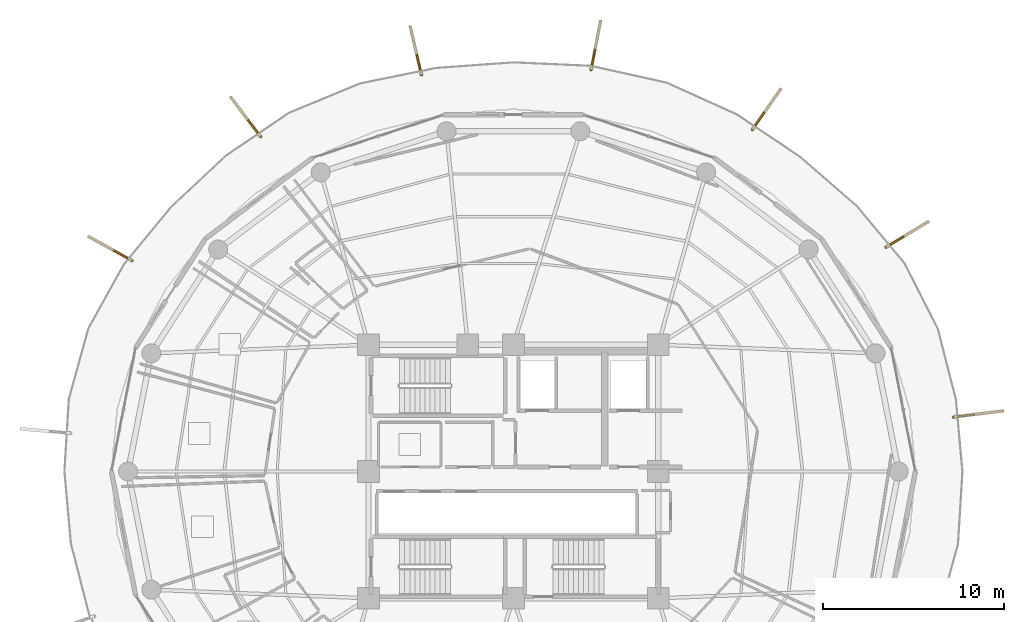
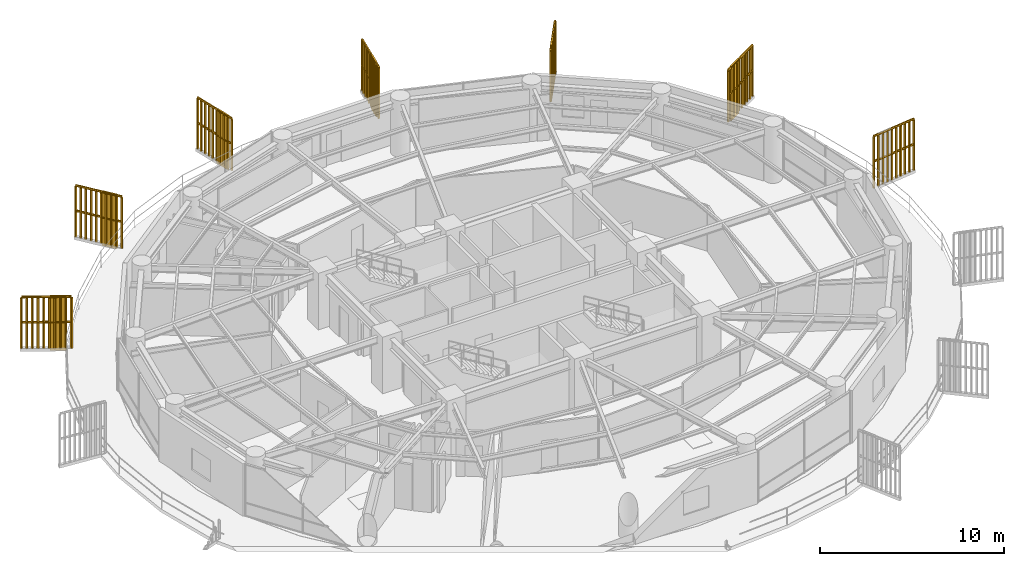
# One storey, part 30 of 30: 7 railings, 6 shading devices.
"""IFC4 building model written with IfcOpenShell, lengths in metres."""

from ifc_helpers import new_model, si_unit, direction, frame, origin, origin_2d, place, context, subcontext, project, spatial, polyline, rectangle, outline, extrude, source, transform, mapped, material, type_object, element, save


model = new_model("IFC4")

# Units and contexts
model_context = context("Model", 3, precision=1e-05, world=origin(), true_north=direction((0.0, 1.0)))
body_context = subcontext(model_context, "Body", "Model", "MODEL_VIEW")
ifc_project = project(units=[si_unit("LENGTHUNIT", "METRE"), si_unit("AREAUNIT", "SQUARE_METRE"), si_unit("VOLUMEUNIT", "CUBIC_METRE"), si_unit("PLANEANGLEUNIT", "RADIAN"), si_unit("MASSUNIT", "GRAM", prefix="KILO")], contexts=[model_context])

# Site, building, storey
site_placement = place(None, origin())
site = spatial("IfcSite", under=ifc_project, at=site_placement, CompositionType="ELEMENT")
building_placement = place(site_placement, origin())
building = spatial("IfcBuilding", under=site, at=building_placement, Name="Kelanora Arch Commons", CompositionType="ELEMENT")
storey_placement = place(building_placement, frame((0.0, 0.0, 215.699951171875)))
storey = spatial("IfcBuildingStorey", under=building, at=storey_placement, Name="L55", CompositionType="ELEMENT", Elevation=215.699951171875)

# Railings
ifc_material_1 = material(Name="Anodised bronze vertical shading fin rib assembly")
railing_type = type_object("IfcRailingType", Name="RAIL-FIN-BRZ", PredefinedType="BALUSTRADE", material=ifc_material_1)
railing_1_placement = place(storey_placement, frame((98.30322265625, 61.0068359375, -0.02001953125)))
element("IfcRailing", 1, at=railing_1_placement, inside=storey, type_object=railing_type, Name="Sweeping Bronze Vertical Fin Blade L55-02", PredefinedType="BALUSTRADE", context=body_context, shape_type="SweptSolid", body=[
    extrude(outline(polyline([(0.06982421875, 0.0), (0.034912109375, 0.060546875), (-0.034912109375, 0.060546875), (-0.06982421875, 0.0), (-0.034912109375, -0.060546875), (0.034912109375, -0.060546875), (0.06982421875, 0.0)])), frame((0.0, 0.0, 3.419921875), z_axis=(0.992433920402, 0.122779939873, 0.0), x_axis=(-0.122779939873, 0.992433920402, 0.0)), (0.0, 0.0, 1.0), 2.730224609375),
    extrude(outline(polyline([(0.06982421875, 0.0), (0.034912109375, 0.060546875), (-0.034912109375, 0.060546875), (-0.06982421875, 0.0), (-0.034912109375, -0.060546875), (0.034912109375, -0.060546875), (0.06982421875, 0.0)])), frame((0.0, 0.0, 1.7451171875), z_axis=(0.992433920402, 0.122779939873, 0.0), x_axis=(-0.122779939873, 0.992433920402, 0.0)), (0.0, 0.0, 1.0), 2.730224609375),
    extrude(outline(polyline([(0.080078125, 0.0), (0.0400390625, 0.0693359375), (-0.0400390625, 0.0693359375), (-0.080078125, 0.0), (-0.0400390625, -0.0693359375), (0.0400390625, -0.0693359375), (0.080078125, 0.0)])), origin(), (0.0, 0.0, 1.0), 3.35009765625),
    extrude(outline(polyline([(0.080078125, 0.0), (0.0400390625, 0.0693359375), (-0.0400390625, 0.0693359375), (-0.080078125, 0.0), (-0.0400390625, -0.0693359375), (0.0400390625, -0.0693359375), (0.080078125, 0.0)])), frame((0.301025390625, 0.037353515625, 0.0)), (0.0, 0.0, 1.0), 3.35009765625),
    extrude(outline(polyline([(0.080078125, 0.0), (0.0400390625, 0.0693359375), (-0.0400390625, 0.0693359375), (-0.080078125, 0.0), (-0.0400390625, -0.0693359375), (0.0400390625, -0.0693359375), (0.080078125, 0.0)])), frame((0.60205078125, 0.074462890625, 0.0)), (0.0, 0.0, 1.0), 3.35009765625),
    extrude(outline(polyline([(0.080078125, 0.0), (0.0400390625, 0.0693359375), (-0.0400390625, 0.0693359375), (-0.080078125, 0.0), (-0.0400390625, -0.0693359375), (0.0400390625, -0.0693359375), (0.080078125, 0.0)])), frame((0.903076171875, 0.11181640625, 0.0)), (0.0, 0.0, 1.0), 3.35009765625),
    extrude(outline(polyline([(0.080078125, 0.0), (0.0400390625, 0.0693359375), (-0.0400390625, 0.0693359375), (-0.080078125, 0.0), (-0.0400390625, -0.0693359375), (0.0400390625, -0.0693359375), (0.080078125, 0.0)])), frame((1.2041015625, 0.14892578125, 0.0)), (0.0, 0.0, 1.0), 3.35009765625),
    extrude(outline(polyline([(0.080078125, 0.0), (0.0400390625, 0.0693359375), (-0.0400390625, 0.0693359375), (-0.080078125, 0.0), (-0.0400390625, -0.0693359375), (0.0400390625, -0.0693359375), (0.080078125, 0.0)])), frame((1.50537109375, 0.186279296875, 0.0)), (0.0, 0.0, 1.0), 3.35009765625),
    extrude(outline(polyline([(0.080078125, 0.0), (0.0400390625, 0.0693359375), (-0.0400390625, 0.0693359375), (-0.080078125, 0.0), (-0.0400390625, -0.0693359375), (0.0400390625, -0.0693359375), (0.080078125, 0.0)])), frame((1.806396484375, 0.223388671875, 0.0)), (0.0, 0.0, 1.0), 3.35009765625),
    extrude(outline(polyline([(0.080078125, 0.0), (0.0400390625, 0.0693359375), (-0.0400390625, 0.0693359375), (-0.080078125, 0.0), (-0.0400390625, -0.0693359375), (0.0400390625, -0.0693359375), (0.080078125, 0.0)])), frame((2.107421875, 0.2607421875, 0.0)), (0.0, 0.0, 1.0), 3.35009765625),
    extrude(outline(polyline([(0.080078125, 0.0), (0.0400390625, 0.0693359375), (-0.0400390625, 0.0693359375), (-0.080078125, 0.0), (-0.0400390625, -0.0693359375), (0.0400390625, -0.0693359375), (0.080078125, 0.0)])), frame((2.408447265625, 0.2978515625, 0.0)), (0.0, 0.0, 1.0), 3.35009765625),
    extrude(outline(polyline([(0.080078125, 0.0), (0.0400390625, 0.0693359375), (-0.0400390625, 0.0693359375), (-0.080078125, 0.0), (-0.0400390625, -0.0693359375), (0.0400390625, -0.0693359375), (0.080078125, 0.0)])), frame((2.70947265625, 0.335205078125, 0.0)), (0.0, 0.0, 1.0), 3.35009765625),
])
railing_2_placement = place(storey_placement, frame((94.5732421875, 70.3876953125, -0.02001953125)))
element("IfcRailing", 2, at=railing_2_placement, inside=storey, type_object=railing_type, Name="Sweeping Bronze Vertical Fin Blade L55-03", PredefinedType="BALUSTRADE", context=body_context, shape_type="SweptSolid", body=[
    extrude(outline(polyline([(0.06982421875, 0.0), (0.034912109375, 0.060546875), (-0.034912109375, 0.060546875), (-0.06982421875, 0.0), (-0.034912109375, -0.060546875), (0.034912109375, -0.060546875), (0.06982421875, 0.0)])), frame((0.0, 0.0, 3.419921875), z_axis=(0.856702862687, 0.515810241334, 0.0), x_axis=(-0.515810241334, 0.856702862687, 0.0)), (0.0, 0.0, 1.0), 2.72998046875),
    extrude(outline(polyline([(0.06982421875, 0.0), (0.034912109375, 0.060546875), (-0.034912109375, 0.060546875), (-0.06982421875, 0.0), (-0.034912109375, -0.060546875), (0.034912109375, -0.060546875), (0.06982421875, 0.0)])), frame((0.0, 0.0, 1.7451171875), z_axis=(0.856702862687, 0.515810241334, 0.0), x_axis=(-0.515810241334, 0.856702862687, 0.0)), (0.0, 0.0, 1.0), 2.72998046875),
    extrude(outline(polyline([(0.080078125, 0.0), (0.0400390625, 0.0693359375), (-0.0400390625, 0.0693359375), (-0.080078125, 0.0), (-0.0400390625, -0.0693359375), (0.0400390625, -0.0693359375), (0.080078125, 0.0)])), origin(), (0.0, 0.0, 1.0), 3.35009765625),
    extrude(outline(polyline([(0.080078125, 0.0), (0.0400390625, 0.0693359375), (-0.0400390625, 0.0693359375), (-0.080078125, 0.0), (-0.0400390625, -0.0693359375), (0.0400390625, -0.0693359375), (0.080078125, 0.0)])), frame((0.259765625, 0.156494140625, 0.0)), (0.0, 0.0, 1.0), 3.35009765625),
    extrude(outline(polyline([(0.080078125, 0.0), (0.0400390625, 0.0693359375), (-0.0400390625, 0.0693359375), (-0.080078125, 0.0), (-0.0400390625, -0.0693359375), (0.0400390625, -0.0693359375), (0.080078125, 0.0)])), frame((0.519775390625, 0.31298828125, 0.0)), (0.0, 0.0, 1.0), 3.35009765625),
    extrude(outline(polyline([(0.080078125, 0.0), (0.0400390625, 0.0693359375), (-0.0400390625, 0.0693359375), (-0.080078125, 0.0), (-0.0400390625, -0.0693359375), (0.0400390625, -0.0693359375), (0.080078125, 0.0)])), frame((0.779541015625, 0.469482421875, 0.0)), (0.0, 0.0, 1.0), 3.35009765625),
    extrude(outline(polyline([(0.080078125, 0.0), (0.0400390625, 0.0693359375), (-0.0400390625, 0.0693359375), (-0.080078125, 0.0), (-0.0400390625, -0.0693359375), (0.0400390625, -0.0693359375), (0.080078125, 0.0)])), frame((1.03955078125, 0.6259765625, 0.0)), (0.0, 0.0, 1.0), 3.35009765625),
    extrude(outline(polyline([(0.080078125, 0.0), (0.0400390625, 0.0693359375), (-0.0400390625, 0.0693359375), (-0.080078125, 0.0), (-0.0400390625, -0.0693359375), (0.0400390625, -0.0693359375), (0.080078125, 0.0)])), frame((1.29931640625, 0.7822265625, 0.0)), (0.0, 0.0, 1.0), 3.35009765625),
    extrude(outline(polyline([(0.080078125, 0.0), (0.0400390625, 0.0693359375), (-0.0400390625, 0.0693359375), (-0.080078125, 0.0), (-0.0400390625, -0.0693359375), (0.0400390625, -0.0693359375), (0.080078125, 0.0)])), frame((1.559326171875, 0.938720703125, 0.0)), (0.0, 0.0, 1.0), 3.35009765625),
    extrude(outline(polyline([(0.080078125, 0.0), (0.0400390625, 0.0693359375), (-0.0400390625, 0.0693359375), (-0.080078125, 0.0), (-0.0400390625, -0.0693359375), (0.0400390625, -0.0693359375), (0.080078125, 0.0)])), frame((1.819091796875, 1.09521484375, 0.0)), (0.0, 0.0, 1.0), 3.35009765625),
    extrude(outline(polyline([(0.080078125, 0.0), (0.0400390625, 0.0693359375), (-0.0400390625, 0.0693359375), (-0.080078125, 0.0), (-0.0400390625, -0.0693359375), (0.0400390625, -0.0693359375), (0.080078125, 0.0)])), frame((2.0791015625, 1.251708984375, 0.0)), (0.0, 0.0, 1.0), 3.35009765625),
    extrude(outline(polyline([(0.080078125, 0.0), (0.0400390625, 0.0693359375), (-0.0400390625, 0.0693359375), (-0.080078125, 0.0), (-0.0400390625, -0.0693359375), (0.0400390625, -0.0693359375), (0.080078125, 0.0)])), frame((2.3388671875, 1.408203125, 0.0)), (0.0, 0.0, 1.0), 3.35009765625),
])
railing_3_placement = place(storey_placement, frame((87.194580078125, 76.881103515625, -0.02001953125)))
element("IfcRailing", 3, at=railing_3_placement, inside=storey, type_object=railing_type, Name="Sweeping Bronze Vertical Fin Blade L55-04", PredefinedType="BALUSTRADE", context=body_context, shape_type="SweptSolid", body=[
    extrude(outline(polyline([(0.06982421875, 0.0), (0.034912109375, 0.060546875), (-0.034912109375, 0.060546875), (-0.06982421875, 0.0), (-0.034912109375, -0.060546875), (0.034912109375, -0.060546875), (0.06982421875, 0.0)])), frame((0.0, 0.0, 3.419921875), z_axis=(0.572850020098, 0.819660206716, 0.0), x_axis=(-0.819660206716, 0.572850020098, 0.0)), (0.0, 0.0, 1.0), 2.730224609375),
    extrude(outline(polyline([(0.06982421875, 0.0), (0.034912109375, 0.060546875), (-0.034912109375, 0.060546875), (-0.06982421875, 0.0), (-0.034912109375, -0.060546875), (0.034912109375, -0.060546875), (0.06982421875, 0.0)])), frame((0.0, 0.0, 1.7451171875), z_axis=(0.572850020098, 0.819660206716, 0.0), x_axis=(-0.819660206716, 0.572850020098, 0.0)), (0.0, 0.0, 1.0), 2.730224609375),
    extrude(outline(polyline([(0.080078125, 0.0), (0.0400390625, 0.0693359375), (-0.0400390625, 0.0693359375), (-0.080078125, 0.0), (-0.0400390625, -0.0693359375), (0.0400390625, -0.0693359375), (0.080078125, 0.0)])), origin(), (0.0, 0.0, 1.0), 3.35009765625),
    extrude(outline(polyline([(0.080078125, 0.0), (0.0400390625, 0.0693359375), (-0.0400390625, 0.0693359375), (-0.080078125, 0.0), (-0.0400390625, -0.0693359375), (0.0400390625, -0.0693359375), (0.080078125, 0.0)])), frame((0.173828125, 0.24853515625, 0.0)), (0.0, 0.0, 1.0), 3.35009765625),
    extrude(outline(polyline([(0.080078125, 0.0), (0.0400390625, 0.0693359375), (-0.0400390625, 0.0693359375), (-0.080078125, 0.0), (-0.0400390625, -0.0693359375), (0.0400390625, -0.0693359375), (0.080078125, 0.0)])), frame((0.34765625, 0.497314453125, 0.0)), (0.0, 0.0, 1.0), 3.35009765625),
    extrude(outline(polyline([(0.080078125, 0.0), (0.0400390625, 0.0693359375), (-0.0400390625, 0.0693359375), (-0.080078125, 0.0), (-0.0400390625, -0.0693359375), (0.0400390625, -0.0693359375), (0.080078125, 0.0)])), frame((0.521240234375, 0.745849609375, 0.0)), (0.0, 0.0, 1.0), 3.35009765625),
    extrude(outline(polyline([(0.080078125, 0.0), (0.0400390625, 0.0693359375), (-0.0400390625, 0.0693359375), (-0.080078125, 0.0), (-0.0400390625, -0.0693359375), (0.0400390625, -0.0693359375), (0.080078125, 0.0)])), frame((0.695068359375, 0.99462890625, 0.0)), (0.0, 0.0, 1.0), 3.35009765625),
    extrude(outline(polyline([(0.080078125, 0.0), (0.0400390625, 0.0693359375), (-0.0400390625, 0.0693359375), (-0.080078125, 0.0), (-0.0400390625, -0.0693359375), (0.0400390625, -0.0693359375), (0.080078125, 0.0)])), frame((0.868896484375, 1.2431640625, 0.0)), (0.0, 0.0, 1.0), 3.35009765625),
    extrude(outline(polyline([(0.080078125, 0.0), (0.0400390625, 0.0693359375), (-0.0400390625, 0.0693359375), (-0.080078125, 0.0), (-0.0400390625, -0.0693359375), (0.0400390625, -0.0693359375), (0.080078125, 0.0)])), frame((1.042724609375, 1.491943359375, 0.0)), (0.0, 0.0, 1.0), 3.35009765625),
    extrude(outline(polyline([(0.080078125, 0.0), (0.0400390625, 0.0693359375), (-0.0400390625, 0.0693359375), (-0.080078125, 0.0), (-0.0400390625, -0.0693359375), (0.0400390625, -0.0693359375), (0.080078125, 0.0)])), frame((1.21630859375, 1.740478515625, 0.0)), (0.0, 0.0, 1.0), 3.35009765625),
    extrude(outline(polyline([(0.080078125, 0.0), (0.0400390625, 0.0693359375), (-0.0400390625, 0.0693359375), (-0.080078125, 0.0), (-0.0400390625, -0.0693359375), (0.0400390625, -0.0693359375), (0.080078125, 0.0)])), frame((1.39013671875, 1.9892578125, 0.0)), (0.0, 0.0, 1.0), 3.35009765625),
    extrude(outline(polyline([(0.080078125, 0.0), (0.0400390625, 0.0693359375), (-0.0400390625, 0.0693359375), (-0.080078125, 0.0), (-0.0400390625, -0.0693359375), (0.0400390625, -0.0693359375), (0.080078125, 0.0)])), frame((1.56396484375, 2.23779296875, 0.0)), (0.0, 0.0, 1.0), 3.35009765625),
])
railing_4_placement = place(storey_placement, frame((78.28955078125, 80.177001953125, -0.02001953125)))
element("IfcRailing", 4, at=railing_4_placement, inside=storey, type_object=railing_type, Name="Sweeping Bronze Vertical Fin Blade L55-05", PredefinedType="BALUSTRADE", context=body_context, shape_type="SweptSolid", body=[
    extrude(outline(polyline([(0.06982421875, 0.0), (0.034912109375, 0.060546875), (-0.034912109375, 0.060546875), (-0.06982421875, 0.0), (-0.034912109375, -0.060546875), (0.034912109375, -0.060546875), (0.06982421875, 0.0)])), frame((0.0, 0.0, 3.419921875), z_axis=(0.189868959993, 0.981809440793, 0.0), x_axis=(-0.981809440793, 0.189868959993, 0.0)), (0.0, 0.0, 1.0), 2.729736328125),
    extrude(outline(polyline([(0.06982421875, 0.0), (0.034912109375, 0.060546875), (-0.034912109375, 0.060546875), (-0.06982421875, 0.0), (-0.034912109375, -0.060546875), (0.034912109375, -0.060546875), (0.06982421875, 0.0)])), frame((0.0, 0.0, 1.7451171875), z_axis=(0.189868959993, 0.981809440793, 0.0), x_axis=(-0.981809440793, 0.189868959993, 0.0)), (0.0, 0.0, 1.0), 2.729736328125),
    extrude(outline(polyline([(0.080078125, 0.0), (0.0400390625, 0.0693359375), (-0.0400390625, 0.0693359375), (-0.080078125, 0.0), (-0.0400390625, -0.0693359375), (0.0400390625, -0.0693359375), (0.080078125, 0.0)])), origin(), (0.0, 0.0, 1.0), 3.35009765625),
    extrude(outline(polyline([(0.080078125, 0.0), (0.0400390625, 0.0693359375), (-0.0400390625, 0.0693359375), (-0.080078125, 0.0), (-0.0400390625, -0.0693359375), (0.0400390625, -0.0693359375), (0.080078125, 0.0)])), frame((0.0576171875, 0.2978515625, 0.0)), (0.0, 0.0, 1.0), 3.35009765625),
    extrude(outline(polyline([(0.080078125, 0.0), (0.0400390625, 0.0693359375), (-0.0400390625, 0.0693359375), (-0.080078125, 0.0), (-0.0400390625, -0.0693359375), (0.0400390625, -0.0693359375), (0.080078125, 0.0)])), frame((0.115234375, 0.595703125, 0.0)), (0.0, 0.0, 1.0), 3.35009765625),
    extrude(outline(polyline([(0.080078125, 0.0), (0.0400390625, 0.0693359375), (-0.0400390625, 0.0693359375), (-0.080078125, 0.0), (-0.0400390625, -0.0693359375), (0.0400390625, -0.0693359375), (0.080078125, 0.0)])), frame((0.1728515625, 0.893310546875, 0.0)), (0.0, 0.0, 1.0), 3.35009765625),
    extrude(outline(polyline([(0.080078125, 0.0), (0.0400390625, 0.0693359375), (-0.0400390625, 0.0693359375), (-0.080078125, 0.0), (-0.0400390625, -0.0693359375), (0.0400390625, -0.0693359375), (0.080078125, 0.0)])), frame((0.23046875, 1.191162109375, 0.0)), (0.0, 0.0, 1.0), 3.35009765625),
    extrude(outline(polyline([(0.080078125, 0.0), (0.0400390625, 0.0693359375), (-0.0400390625, 0.0693359375), (-0.080078125, 0.0), (-0.0400390625, -0.0693359375), (0.0400390625, -0.0693359375), (0.080078125, 0.0)])), frame((0.287841796875, 1.489013671875, 0.0)), (0.0, 0.0, 1.0), 3.35009765625),
    extrude(outline(polyline([(0.080078125, 0.0), (0.0400390625, 0.0693359375), (-0.0400390625, 0.0693359375), (-0.080078125, 0.0), (-0.0400390625, -0.0693359375), (0.0400390625, -0.0693359375), (0.080078125, 0.0)])), frame((0.345458984375, 1.786865234375, 0.0)), (0.0, 0.0, 1.0), 3.35009765625),
    extrude(outline(polyline([(0.080078125, 0.0), (0.0400390625, 0.0693359375), (-0.0400390625, 0.0693359375), (-0.080078125, 0.0), (-0.0400390625, -0.0693359375), (0.0400390625, -0.0693359375), (0.080078125, 0.0)])), frame((0.403076171875, 2.08447265625, 0.0)), (0.0, 0.0, 1.0), 3.35009765625),
    extrude(outline(polyline([(0.080078125, 0.0), (0.0400390625, 0.0693359375), (-0.0400390625, 0.0693359375), (-0.080078125, 0.0), (-0.0400390625, -0.0693359375), (0.0400390625, -0.0693359375), (0.080078125, 0.0)])), frame((0.460693359375, 2.38232421875, 0.0)), (0.0, 0.0, 1.0), 3.35009765625),
    extrude(outline(polyline([(0.080078125, 0.0), (0.0400390625, 0.0693359375), (-0.0400390625, 0.0693359375), (-0.080078125, 0.0), (-0.0400390625, -0.0693359375), (0.0400390625, -0.0693359375), (0.080078125, 0.0)])), frame((0.518310546875, 2.68017578125, 0.0)), (0.0, 0.0, 1.0), 3.35009765625),
])
railing_5_placement = place(storey_placement, frame((68.92333984375, 79.89697265625, -0.02001953125)))
element("IfcRailing", 5, at=railing_5_placement, inside=storey, type_object=railing_type, Name="Sweeping Bronze Vertical Fin Blade L55-06", PredefinedType="BALUSTRADE", context=body_context, shape_type="SweptSolid", body=[
    extrude(outline(polyline([(0.06982421875, 0.0), (0.034912109375, 0.060546875), (-0.034912109375, 0.060546875), (-0.06982421875, 0.0), (-0.034912109375, -0.060546875), (0.034912109375, -0.060546875), (0.06982421875, 0.0)])), frame((0.0, 0.0, 3.419921875), z_axis=(-0.225812993548, 0.974170668797, 0.0), x_axis=(-0.974170668797, -0.225812993548, 0.0)), (0.0, 0.0, 1.0), 2.72998046875),
    extrude(outline(polyline([(0.06982421875, 0.0), (0.034912109375, 0.060546875), (-0.034912109375, 0.060546875), (-0.06982421875, 0.0), (-0.034912109375, -0.060546875), (0.034912109375, -0.060546875), (0.06982421875, 0.0)])), frame((0.0, 0.0, 1.7451171875), z_axis=(-0.225812993548, 0.974170668797, 0.0), x_axis=(-0.974170668797, -0.225812993548, 0.0)), (0.0, 0.0, 1.0), 2.72998046875),
    extrude(outline(polyline([(0.080078125, 0.0), (0.0400390625, 0.0693359375), (-0.0400390625, 0.0693359375), (-0.080078125, 0.0), (-0.0400390625, -0.0693359375), (0.0400390625, -0.0693359375), (0.080078125, 0.0)])), origin(), (0.0, 0.0, 1.0), 3.35009765625),
    extrude(outline(polyline([(0.080078125, 0.0), (0.0400390625, 0.0693359375), (-0.0400390625, 0.0693359375), (-0.080078125, 0.0), (-0.0400390625, -0.0693359375), (0.0400390625, -0.0693359375), (0.080078125, 0.0)])), frame((-0.068603515625, 0.29541015625, 0.0)), (0.0, 0.0, 1.0), 3.35009765625),
    extrude(outline(polyline([(0.080078125, 0.0), (0.0400390625, 0.0693359375), (-0.0400390625, 0.0693359375), (-0.080078125, 0.0), (-0.0400390625, -0.0693359375), (0.0400390625, -0.0693359375), (0.080078125, 0.0)])), frame((-0.136962890625, 0.591064453125, 0.0)), (0.0, 0.0, 1.0), 3.35009765625),
    extrude(outline(polyline([(0.080078125, 0.0), (0.0400390625, 0.0693359375), (-0.0400390625, 0.0693359375), (-0.080078125, 0.0), (-0.0400390625, -0.0693359375), (0.0400390625, -0.0693359375), (0.080078125, 0.0)])), frame((-0.20556640625, 0.886474609375, 0.0)), (0.0, 0.0, 1.0), 3.35009765625),
    extrude(outline(polyline([(0.080078125, 0.0), (0.0400390625, 0.0693359375), (-0.0400390625, 0.0693359375), (-0.080078125, 0.0), (-0.0400390625, -0.0693359375), (0.0400390625, -0.0693359375), (0.080078125, 0.0)])), frame((-0.27392578125, 1.181884765625, 0.0)), (0.0, 0.0, 1.0), 3.35009765625),
    extrude(outline(polyline([(0.080078125, 0.0), (0.0400390625, 0.0693359375), (-0.0400390625, 0.0693359375), (-0.080078125, 0.0), (-0.0400390625, -0.0693359375), (0.0400390625, -0.0693359375), (0.080078125, 0.0)])), frame((-0.342529296875, 1.4775390625, 0.0)), (0.0, 0.0, 1.0), 3.35009765625),
    extrude(outline(polyline([(0.080078125, 0.0), (0.0400390625, 0.0693359375), (-0.0400390625, 0.0693359375), (-0.080078125, 0.0), (-0.0400390625, -0.0693359375), (0.0400390625, -0.0693359375), (0.080078125, 0.0)])), frame((-0.410888671875, 1.77294921875, 0.0)), (0.0, 0.0, 1.0), 3.35009765625),
    extrude(outline(polyline([(0.080078125, 0.0), (0.0400390625, 0.0693359375), (-0.0400390625, 0.0693359375), (-0.080078125, 0.0), (-0.0400390625, -0.0693359375), (0.0400390625, -0.0693359375), (0.080078125, 0.0)])), frame((-0.4794921875, 2.068359375, 0.0)), (0.0, 0.0, 1.0), 3.35009765625),
    extrude(outline(polyline([(0.080078125, 0.0), (0.0400390625, 0.0693359375), (-0.0400390625, 0.0693359375), (-0.080078125, 0.0), (-0.0400390625, -0.0693359375), (0.0400390625, -0.0693359375), (0.080078125, 0.0)])), frame((-0.5478515625, 2.364013671875, 0.0)), (0.0, 0.0, 1.0), 3.35009765625),
    extrude(outline(polyline([(0.080078125, 0.0), (0.0400390625, 0.0693359375), (-0.0400390625, 0.0693359375), (-0.080078125, 0.0), (-0.0400390625, -0.0693359375), (0.0400390625, -0.0693359375), (0.080078125, 0.0)])), frame((-0.616455078125, 2.659423828125, 0.0)), (0.0, 0.0, 1.0), 3.35009765625),
])
railing_6_placement = place(storey_placement, frame((60.04638671875, 76.4814453125, -0.02001953125)))
element("IfcRailing", 6, at=railing_6_placement, inside=storey, type_object=railing_type, Name="Sweeping Bronze Vertical Fin Blade L55-07", PredefinedType="BALUSTRADE", context=body_context, shape_type="SweptSolid", body=[
    extrude(outline(polyline([(0.06982421875, 0.0), (0.034912109375, 0.060546875), (-0.034912109375, 0.060546875), (-0.06982421875, 0.0), (-0.034912109375, -0.060546875), (0.034912109375, -0.060546875), (0.06982421875, 0.0)])), frame((0.0, 0.0, 3.419921875), z_axis=(-0.602572445077, 0.798064188167, 0.0), x_axis=(-0.798064188167, -0.602572445077, 0.0)), (0.0, 0.0, 1.0), 2.72998046875),
    extrude(outline(polyline([(0.06982421875, 0.0), (0.034912109375, 0.060546875), (-0.034912109375, 0.060546875), (-0.06982421875, 0.0), (-0.034912109375, -0.060546875), (0.034912109375, -0.060546875), (0.06982421875, 0.0)])), frame((0.0, 0.0, 1.7451171875), z_axis=(-0.602572445077, 0.798064188167, 0.0), x_axis=(-0.798064188167, -0.602572445077, 0.0)), (0.0, 0.0, 1.0), 2.72998046875),
    extrude(outline(polyline([(0.080078125, 0.0), (0.0400390625, 0.0693359375), (-0.0400390625, 0.0693359375), (-0.080078125, 0.0), (-0.0400390625, -0.0693359375), (0.0400390625, -0.0693359375), (0.080078125, 0.0)])), origin(), (0.0, 0.0, 1.0), 3.35009765625),
    extrude(outline(polyline([(0.080078125, 0.0), (0.0400390625, 0.0693359375), (-0.0400390625, 0.0693359375), (-0.080078125, 0.0), (-0.0400390625, -0.0693359375), (0.0400390625, -0.0693359375), (0.080078125, 0.0)])), frame((-0.182861328125, 0.2421875, 0.0)), (0.0, 0.0, 1.0), 3.35009765625),
    extrude(outline(polyline([(0.080078125, 0.0), (0.0400390625, 0.0693359375), (-0.0400390625, 0.0693359375), (-0.080078125, 0.0), (-0.0400390625, -0.0693359375), (0.0400390625, -0.0693359375), (0.080078125, 0.0)])), frame((-0.365478515625, 0.484130859375, 0.0)), (0.0, 0.0, 1.0), 3.35009765625),
    extrude(outline(polyline([(0.080078125, 0.0), (0.0400390625, 0.0693359375), (-0.0400390625, 0.0693359375), (-0.080078125, 0.0), (-0.0400390625, -0.0693359375), (0.0400390625, -0.0693359375), (0.080078125, 0.0)])), frame((-0.54833984375, 0.726318359375, 0.0)), (0.0, 0.0, 1.0), 3.35009765625),
    extrude(outline(polyline([(0.080078125, 0.0), (0.0400390625, 0.0693359375), (-0.0400390625, 0.0693359375), (-0.080078125, 0.0), (-0.0400390625, -0.0693359375), (0.0400390625, -0.0693359375), (0.080078125, 0.0)])), frame((-0.731201171875, 0.96826171875, 0.0)), (0.0, 0.0, 1.0), 3.35009765625),
    extrude(outline(polyline([(0.080078125, 0.0), (0.0400390625, 0.0693359375), (-0.0400390625, 0.0693359375), (-0.080078125, 0.0), (-0.0400390625, -0.0693359375), (0.0400390625, -0.0693359375), (0.080078125, 0.0)])), frame((-0.913818359375, 1.21044921875, 0.0)), (0.0, 0.0, 1.0), 3.35009765625),
    extrude(outline(polyline([(0.080078125, 0.0), (0.0400390625, 0.0693359375), (-0.0400390625, 0.0693359375), (-0.080078125, 0.0), (-0.0400390625, -0.0693359375), (0.0400390625, -0.0693359375), (0.080078125, 0.0)])), frame((-1.0966796875, 1.452392578125, 0.0)), (0.0, 0.0, 1.0), 3.35009765625),
    extrude(outline(polyline([(0.080078125, 0.0), (0.0400390625, 0.0693359375), (-0.0400390625, 0.0693359375), (-0.080078125, 0.0), (-0.0400390625, -0.0693359375), (0.0400390625, -0.0693359375), (0.080078125, 0.0)])), frame((-1.279541015625, 1.694580078125, 0.0)), (0.0, 0.0, 1.0), 3.35009765625),
    extrude(outline(polyline([(0.080078125, 0.0), (0.0400390625, 0.0693359375), (-0.0400390625, 0.0693359375), (-0.080078125, 0.0), (-0.0400390625, -0.0693359375), (0.0400390625, -0.0693359375), (0.080078125, 0.0)])), frame((-1.462158203125, 1.9365234375, 0.0)), (0.0, 0.0, 1.0), 3.35009765625),
    extrude(outline(polyline([(0.080078125, 0.0), (0.0400390625, 0.0693359375), (-0.0400390625, 0.0693359375), (-0.080078125, 0.0), (-0.0400390625, -0.0693359375), (0.0400390625, -0.0693359375), (0.080078125, 0.0)])), frame((-1.64501953125, 2.1787109375, 0.0)), (0.0, 0.0, 1.0), 3.35009765625),
])
railing_7_placement = place(storey_placement, frame((52.938720703125, 69.64892578125, -0.02001953125)))
element("IfcRailing", 7, at=railing_7_placement, inside=storey, type_object=railing_type, Name="Sweeping Bronze Vertical Fin Blade L55-08", PredefinedType="BALUSTRADE", context=body_context, shape_type="SweptSolid", body=[
    extrude(outline(polyline([(0.06982421875, 0.0), (0.034912109375, 0.060546875), (-0.034912109375, 0.060546875), (-0.06982421875, 0.0), (-0.034912109375, -0.060546875), (0.034912109375, -0.060546875), (0.06982421875, 0.0)])), frame((0.0, 0.0, 3.419921875), z_axis=(-0.875071113718, 0.483994365605, 0.0), x_axis=(-0.483994365605, -0.875071113718, 0.0)), (0.0, 0.0, 1.0), 2.72998046875),
    extrude(outline(polyline([(0.06982421875, 0.0), (0.034912109375, 0.060546875), (-0.034912109375, 0.060546875), (-0.06982421875, 0.0), (-0.034912109375, -0.060546875), (0.034912109375, -0.060546875), (0.06982421875, 0.0)])), frame((0.0, 0.0, 1.7451171875), z_axis=(-0.875071113718, 0.483994365605, 0.0), x_axis=(-0.483994365605, -0.875071113718, 0.0)), (0.0, 0.0, 1.0), 2.72998046875),
    extrude(outline(polyline([(0.080078125, 0.0), (0.0400390625, 0.0693359375), (-0.0400390625, 0.0693359375), (-0.080078125, 0.0), (-0.0400390625, -0.0693359375), (0.0400390625, -0.0693359375), (0.080078125, 0.0)])), origin(), (0.0, 0.0, 1.0), 3.35009765625),
    extrude(outline(polyline([(0.080078125, 0.0), (0.0400390625, 0.0693359375), (-0.0400390625, 0.0693359375), (-0.080078125, 0.0), (-0.0400390625, -0.0693359375), (0.0400390625, -0.0693359375), (0.080078125, 0.0)])), frame((-0.265380859375, 0.146728515625, 0.0)), (0.0, 0.0, 1.0), 3.35009765625),
    extrude(outline(polyline([(0.080078125, 0.0), (0.0400390625, 0.0693359375), (-0.0400390625, 0.0693359375), (-0.080078125, 0.0), (-0.0400390625, -0.0693359375), (0.0400390625, -0.0693359375), (0.080078125, 0.0)])), frame((-0.53076171875, 0.293701171875, 0.0)), (0.0, 0.0, 1.0), 3.35009765625),
    extrude(outline(polyline([(0.080078125, 0.0), (0.0400390625, 0.0693359375), (-0.0400390625, 0.0693359375), (-0.080078125, 0.0), (-0.0400390625, -0.0693359375), (0.0400390625, -0.0693359375), (0.080078125, 0.0)])), frame((-0.79638671875, 0.4404296875, 0.0)), (0.0, 0.0, 1.0), 3.35009765625),
    extrude(outline(polyline([(0.080078125, 0.0), (0.0400390625, 0.0693359375), (-0.0400390625, 0.0693359375), (-0.080078125, 0.0), (-0.0400390625, -0.0693359375), (0.0400390625, -0.0693359375), (0.080078125, 0.0)])), frame((-1.061767578125, 0.587158203125, 0.0)), (0.0, 0.0, 1.0), 3.35009765625),
    extrude(outline(polyline([(0.080078125, 0.0), (0.0400390625, 0.0693359375), (-0.0400390625, 0.0693359375), (-0.080078125, 0.0), (-0.0400390625, -0.0693359375), (0.0400390625, -0.0693359375), (0.080078125, 0.0)])), frame((-1.3271484375, 0.734130859375, 0.0)), (0.0, 0.0, 1.0), 3.35009765625),
    extrude(outline(polyline([(0.080078125, 0.0), (0.0400390625, 0.0693359375), (-0.0400390625, 0.0693359375), (-0.080078125, 0.0), (-0.0400390625, -0.0693359375), (0.0400390625, -0.0693359375), (0.080078125, 0.0)])), frame((-1.592529296875, 0.880859375, 0.0)), (0.0, 0.0, 1.0), 3.35009765625),
    extrude(outline(polyline([(0.080078125, 0.0), (0.0400390625, 0.0693359375), (-0.0400390625, 0.0693359375), (-0.080078125, 0.0), (-0.0400390625, -0.0693359375), (0.0400390625, -0.0693359375), (0.080078125, 0.0)])), frame((-1.858154296875, 1.027587890625, 0.0)), (0.0, 0.0, 1.0), 3.35009765625),
    extrude(outline(polyline([(0.080078125, 0.0), (0.0400390625, 0.0693359375), (-0.0400390625, 0.0693359375), (-0.080078125, 0.0), (-0.0400390625, -0.0693359375), (0.0400390625, -0.0693359375), (0.080078125, 0.0)])), frame((-2.12353515625, 1.174560546875, 0.0)), (0.0, 0.0, 1.0), 3.35009765625),
    extrude(outline(polyline([(0.080078125, 0.0), (0.0400390625, 0.0693359375), (-0.0400390625, 0.0693359375), (-0.080078125, 0.0), (-0.0400390625, -0.0693359375), (0.0400390625, -0.0693359375), (0.080078125, 0.0)])), frame((-2.388916015625, 1.3212890625, 0.0)), (0.0, 0.0, 1.0), 3.35009765625),
])

# Shading devices
ifc_material_2 = material(Name="Terracotta ceramic-clad extruded aluminium fin", Category="masonry")
shading_device_type = type_object("IfcShadingDeviceType", Name="SHD-FIN-FLARE", PredefinedType="USERDEFINED", material=ifc_material_2)
shared_shape = source(origin(), body_context, "Body", "SweptSolid", [
    extrude(rectangle(XDim=0.8798828125, YDim=0.090087890625, at=origin_2d()), origin(), (0.0, 0.0, 1.0), 3.610107421875),
])
for number, where, z_axis, x_axis, name in (
    (8, (95.190185546875, 70.759033203125, -0.14013671875), (0.0, 0.0, 1.0), (0.856717518865, 0.515785898285, 0.0), "Sweeping Terracotta Fin L55-03"),
    (9, (87.607177734375, 77.47119140625, -0.14013671875), (0.0, 0.0, 1.0), (0.572861373028, 0.819652272182, 0.0), "Sweeping Terracotta Fin L55-04"),
    (10, (78.42626953125, 80.8837890625, -0.14013671875), (0.0, 0.0, 1.0), (0.189952291512, 0.981793321911, 0.0), "Sweeping Terracotta Fin L55-05"),
    (11, (68.7607421875, 80.598388671875, -0.14013671875), (0.0, 0.0, 1.0), (-0.225801266869, 0.97417338697, 0.0), "Sweeping Terracotta Fin L55-06"),
    (12, (59.612548828125, 77.05615234375, -0.14013671875), (0.0, 0.0, 1.0), (-0.602511734868, 0.798110023334, 0.0), "Sweeping Terracotta Fin L55-07"),
    (13, (52.308837890625, 69.997314453125, -0.14013671875), (0.0, 0.0, 1.0), (-0.875042450261, 0.484046186062, 0.0), "Sweeping Terracotta Fin L55-08"),
):
    element("IfcShadingDevice", number, at=place(storey_placement, frame(where, z_axis=z_axis, x_axis=x_axis)), inside=storey, type_object=shading_device_type, Name=name, ObjectType="FIN", PredefinedType="USERDEFINED", context=body_context, shape_type="MappedRepresentation", body=[
        mapped(shared_shape, transform((0.0, 0.0, 0.0), scale=1.0)),
    ])

save(model, "model.ifc")
